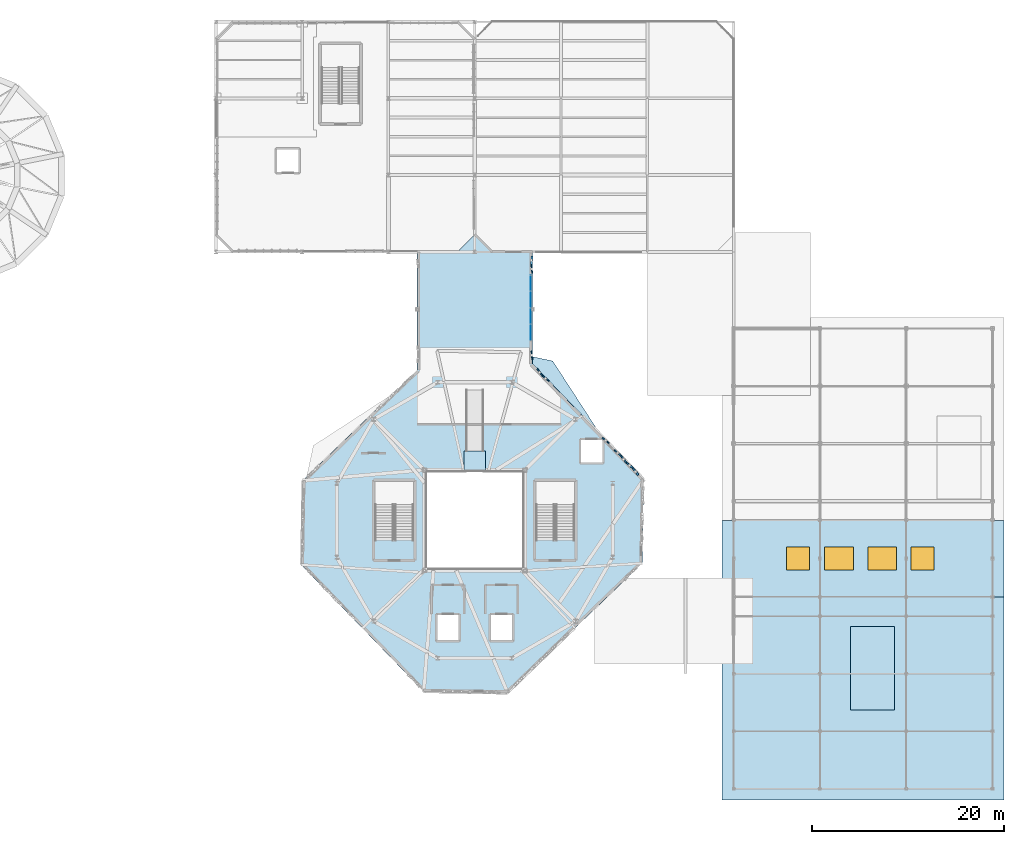
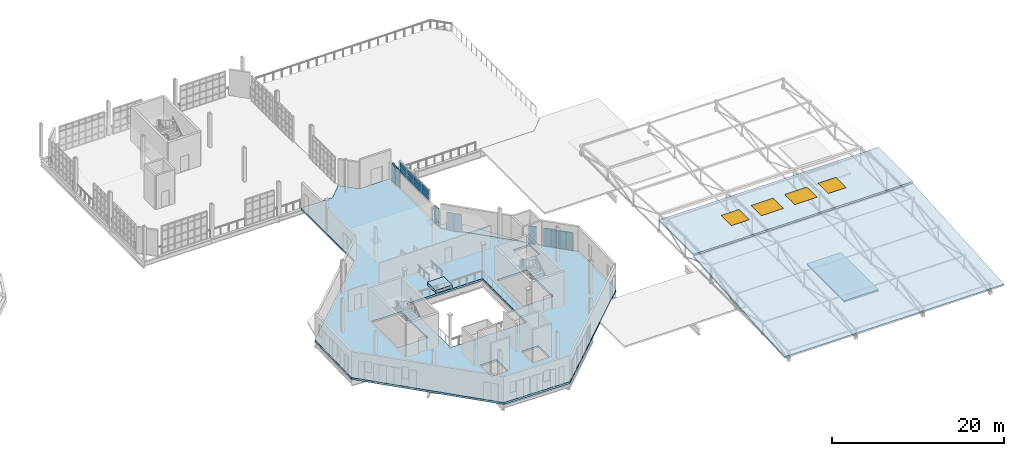
# One storey, part 69 of 85: 18 plates, 6 slabs, 4 windows, 4 openings, 1 element without a shape of its own.
"""IFC4 building model written with IfcOpenShell, lengths in metres."""

from ifc_helpers import new_model, si_unit, direction, frame, frame_2d, origin, origin_2d, place, context, subcontext, project, spatial, polyline, rectangle, outline, extrude, material, layer, layer_set, type_object, element, fill, aggregate, save


model = new_model("IFC4")

# Units and contexts
model_context = context("Model", 3, precision=1e-05, world=origin(), true_north=direction((0.0, 1.0)))
body_context = subcontext(model_context, "Body", "Model", "MODEL_VIEW")
ifc_project = project(units=[si_unit("LENGTHUNIT", "METRE"), si_unit("AREAUNIT", "SQUARE_METRE"), si_unit("VOLUMEUNIT", "CUBIC_METRE"), si_unit("PLANEANGLEUNIT", "RADIAN"), si_unit("MASSUNIT", "GRAM", prefix="KILO"), si_unit("THERMODYNAMICTEMPERATUREUNIT", "KELVIN"), si_unit("POWERUNIT", "WATT")], contexts=[model_context])

# Site, building, storey
site_placement = place(None, origin())
site = spatial("IfcSite", under=ifc_project, at=site_placement, CompositionType="ELEMENT")
building_placement = place(site_placement, origin())
building = spatial("IfcBuilding", under=site, at=building_placement, Name="Zelmaris Science Centre", CompositionType="ELEMENT")
storey_placement = place(building_placement, frame((0.0, 0.0, 20.39990234375)))
storey = spatial("IfcBuildingStorey", under=building, at=storey_placement, Name="L04", CompositionType="ELEMENT", Elevation=20.39990234375)

# Curtain wall, plates
ifc_material_1 = material(Name="Anodised architectural aluminium 6063-T6", Category="aluminium")
ifc_layer_1 = layer(ifc_material_1, 0.18994140625, Name="Anodised architectural aluminium 6063-T6")
ifc_layer_set_1 = layer_set([ifc_layer_1], Name="Anodised architectural aluminium 6063-T6")
curtain_wall_type = type_object("IfcCurtainWallType", Name="Curtain Wall CW-01", PredefinedType="USERDEFINED", material=ifc_layer_set_1)
curtain_wall_placement = place(storey_placement, origin())
curtain_wall = element("IfcCurtainWall", 1, at=curtain_wall_placement, inside=storey, type_object=curtain_wall_type, Name="L04 Clerestory curtain wall 349", ObjectType="GLAZED CURTAIN WALL", PredefinedType="USERDEFINED")
ifc_material_2 = material(Name="Laminated hurricane-rated low-E insulated glazing", Category="glass")
ifc_layer_2 = layer(ifc_material_2, 0.031982421875, Name="Laminated hurricane-rated low-E insulated glazing")
ifc_layer_set_2 = layer_set([ifc_layer_2], Name="Laminated hurricane-rated low-E insulated glazing")
plate_type_1 = type_object("IfcPlateType", Name="Curtain Glazing Panel CWP-1 32mm", PredefinedType="CURTAIN_PANEL", material=ifc_layer_set_2)
plate_1_placement = place(storey_placement, frame((86.841796875, 60.724853515625, 2.4921875), z_axis=(0.0, 0.0, 1.0), x_axis=(0.000585964034, -0.999999828323, 0.0)))
plate_1 = element("IfcPlate", 2, at=plate_1_placement, type_object=plate_type_1, Name="CW-01 panel 1.1", PredefinedType="CURTAIN_PANEL", context=body_context, shape_type="SweptSolid", body=[
    extrude(rectangle(XDim=1.61376953125, YDim=0.031982421875, at=origin_2d()), origin(), (0.0, 0.0, 1.0), 0.697021484375),
])
plate_2_placement = place(storey_placement, frame((86.841796875, 60.724853515625, 3.26123046875), z_axis=(0.0, 0.0, 1.0), x_axis=(0.000585964034, -0.999999828323, 0.0)))
plate_2 = element("IfcPlate", 3, at=plate_2_placement, type_object=plate_type_1, Name="CW-01 panel 1.2", PredefinedType="CURTAIN_PANEL", context=body_context, shape_type="SweptSolid", body=[
    extrude(rectangle(XDim=1.61376953125, YDim=0.031982421875, at=origin_2d()), origin(), (0.0, 0.0, 1.0), 0.697021484375),
])
plate_3_placement = place(storey_placement, frame((86.8427734375, 59.02099609375, 2.4921875), z_axis=(0.0, 0.0, 1.0), x_axis=(0.000585964034, -0.999999828323, 0.0)))
plate_3 = element("IfcPlate", 4, at=plate_3_placement, type_object=plate_type_1, Name="CW-01 panel 2.1", PredefinedType="CURTAIN_PANEL", context=body_context, shape_type="SweptSolid", body=[
    extrude(rectangle(XDim=1.64990234375, YDim=0.031982421875, at=origin_2d()), origin(), (0.0, 0.0, 1.0), 0.697021484375),
])
plate_4_placement = place(storey_placement, frame((86.8427734375, 59.02099609375, 3.26123046875), z_axis=(0.0, 0.0, 1.0), x_axis=(0.000585964034, -0.999999828323, 0.0)))
plate_4 = element("IfcPlate", 5, at=plate_4_placement, type_object=plate_type_1, Name="CW-01 panel 2.2", PredefinedType="CURTAIN_PANEL", context=body_context, shape_type="SweptSolid", body=[
    extrude(rectangle(XDim=1.64990234375, YDim=0.031982421875, at=origin_2d()), origin(), (0.0, 0.0, 1.0), 0.697021484375),
])
plate_5_placement = place(storey_placement, frame((86.84375, 57.29931640625, 2.4921875), z_axis=(0.0, 0.0, 1.0), x_axis=(0.000585964034, -0.999999828323, 0.0)))
plate_5 = element("IfcPlate", 6, at=plate_5_placement, type_object=plate_type_1, Name="CW-01 panel 3.1", PredefinedType="CURTAIN_PANEL", context=body_context, shape_type="SweptSolid", body=[
    extrude(rectangle(XDim=1.64990234375, YDim=0.031982421875, at=origin_2d()), origin(), (0.0, 0.0, 1.0), 0.697021484375),
])
plate_6_placement = place(storey_placement, frame((86.84375, 57.29931640625, 3.26123046875), z_axis=(0.0, 0.0, 1.0), x_axis=(0.000585964034, -0.999999828323, 0.0)))
plate_6 = element("IfcPlate", 7, at=plate_6_placement, type_object=plate_type_1, Name="CW-01 panel 3.2", PredefinedType="CURTAIN_PANEL", context=body_context, shape_type="SweptSolid", body=[
    extrude(rectangle(XDim=1.64990234375, YDim=0.031982421875, at=origin_2d()), origin(), (0.0, 0.0, 1.0), 0.697021484375),
])
plate_7_placement = place(storey_placement, frame((86.8447265625, 55.595458984375, 2.4921875), z_axis=(0.0, 0.0, 1.0), x_axis=(0.000585964034, -0.999999828323, 0.0)))
plate_7 = element("IfcPlate", 8, at=plate_7_placement, type_object=plate_type_1, Name="CW-01 panel 4.1", PredefinedType="CURTAIN_PANEL", context=body_context, shape_type="SweptSolid", body=[
    extrude(rectangle(XDim=1.61376953125, YDim=0.031982421875, at=origin_2d()), origin(), (0.0, 0.0, 1.0), 0.697021484375),
])
plate_8_placement = place(storey_placement, frame((86.8447265625, 55.595458984375, 3.26123046875), z_axis=(0.0, 0.0, 1.0), x_axis=(0.000585964034, -0.999999828323, 0.0)))
plate_8 = element("IfcPlate", 9, at=plate_8_placement, type_object=plate_type_1, Name="CW-01 panel 4.2", PredefinedType="CURTAIN_PANEL", context=body_context, shape_type="SweptSolid", body=[
    extrude(rectangle(XDim=1.61376953125, YDim=0.031982421875, at=origin_2d()), origin(), (0.0, 0.0, 1.0), 0.697021484375),
])
aggregate(curtain_wall, [plate_1, plate_2, plate_3, plate_4, plate_5, plate_6, plate_7, plate_8])

# Plates
ifc_material_3 = material(Name="Precast concrete C40/50", Category="concrete")
ifc_layer_3 = layer(ifc_material_3, 0.110107421875, Name="Precast concrete C40/50")
ifc_layer_set_3 = layer_set([ifc_layer_3], Name="Precast concrete C40/50")
plate_type_2 = type_object("IfcPlateType", Name="Precast Facet Panel FP-01 110mm", PredefinedType="SHEET", material=ifc_layer_set_3)
plate_9_placement = place(storey_placement, frame((86.900634765625, 62.66015625, 0.02001953125), z_axis=(0.0, 0.0, 1.0), x_axis=(0.102015169491, -0.994782843235, 0.0)))
element("IfcPlate", 10, at=plate_9_placement, inside=storey, type_object=plate_type_2, Name="L04 Folded precast facet panel 168", PredefinedType="SHEET", context=body_context, shape_type="SweptSolid", body=[
    extrude(rectangle(XDim=0.904541015625, YDim=0.110107421875, at=frame_2d((0.4521484375, 0.0))), origin(), (0.0, 0.0, 1.0), 2.4599609375),
])
ifc_layer_4 = layer(ifc_material_3, 0.1201171875, Name="Precast concrete C40/50")
ifc_layer_set_4 = layer_set([ifc_layer_4], Name="Precast concrete C40/50")
plate_type_3 = type_object("IfcPlateType", Name="Precast Facet Panel FP-02 120mm", PredefinedType="SHEET", material=ifc_layer_set_4)
plate_10_placement = place(storey_placement, frame((86.906005859375, 53.66015625, 0.02001953125), z_axis=(0.0, 0.0, 1.0), x_axis=(0.101748085751, -0.994810196493, 0.0)))
element("IfcPlate", 11, at=plate_10_placement, inside=storey, type_object=plate_type_3, Name="L04 Folded precast facet panel 169", PredefinedType="SHEET", context=body_context, shape_type="SweptSolid", body=[
    extrude(rectangle(XDim=0.904541015625, YDim=0.1201171875, at=frame_2d((0.4521484375, 0.0))), origin(), (0.0, 0.0, 1.0), 2.4599609375),
])
ifc_layer_5 = layer(ifc_material_3, 0.1298828125, Name="Precast concrete C40/50")
ifc_layer_set_5 = layer_set([ifc_layer_5], Name="Precast concrete C40/50")
plate_type_4 = type_object("IfcPlateType", Name="Precast Facet Panel FP-03 130mm", PredefinedType="SHEET", material=ifc_layer_set_5)
plate_11_placement = place(storey_placement, frame((87.494873046875, 51.799072265625, 0.02001953125), z_axis=(0.0, 0.0, 1.0), x_axis=(0.618024153916, -0.786159109326, 0.0)))
element("IfcPlate", 12, at=plate_11_placement, inside=storey, type_object=plate_type_4, Name="L04 Folded precast facet panel 170", PredefinedType="SHEET", context=body_context, shape_type="SweptSolid", body=[
    extrude(rectangle(XDim=0.904541015625, YDim=0.1298828125, at=frame_2d((0.4521484375, 0.0))), origin(), (0.0, 0.0, 1.0), 2.4599609375),
])
ifc_layer_6 = layer(ifc_material_3, 0.139892578125, Name="Precast concrete C40/50")
ifc_layer_set_6 = layer_set([ifc_layer_6], Name="Precast concrete C40/50")
plate_type_5 = type_object("IfcPlateType", Name="Precast Facet Panel FP-04 140mm", PredefinedType="SHEET", material=ifc_layer_set_6)
plate_12_placement = place(storey_placement, frame((88.053955078125, 51.087890625, 0.02001953125), z_axis=(0.0, 0.0, 1.0), x_axis=(0.763846637855, -0.645397795037, 0.0)))
element("IfcPlate", 13, at=plate_12_placement, inside=storey, type_object=plate_type_5, Name="L04 Folded precast facet panel 171", PredefinedType="SHEET", context=body_context, shape_type="SweptSolid", body=[
    extrude(rectangle(XDim=0.90478515625, YDim=0.139892578125, at=frame_2d((0.452392578125, 0.0))), origin(), (0.0, 0.0, 1.0), 2.4599609375),
])
ifc_layer_7 = layer(ifc_material_3, 0.14990234375, Name="Precast concrete C40/50")
ifc_layer_set_7 = layer_set([ifc_layer_7], Name="Precast concrete C40/50")
plate_type_6 = type_object("IfcPlateType", Name="Precast Facet Panel FP-05 150mm", PredefinedType="SHEET", material=ifc_layer_set_7)
plate_13_placement = place(storey_placement, frame((94.304931640625, 44.61279296875, 0.02001953125), z_axis=(0.0, 0.0, 1.0), x_axis=(0.763979659586, -0.645240327118, 0.0)))
element("IfcPlate", 14, at=plate_13_placement, inside=storey, type_object=plate_type_6, Name="L04 Folded precast facet panel 172", PredefinedType="SHEET", context=body_context, shape_type="SweptSolid", body=[
    extrude(rectangle(XDim=0.90478515625, YDim=0.14990234375, at=frame_2d((0.452392578125, 0.0))), origin(), (0.0, 0.0, 1.0), 2.4599609375),
])
ifc_layer_8 = layer(ifc_material_3, 0.159912109375, Name="Precast concrete C40/50")
ifc_layer_set_8 = layer_set([ifc_layer_8], Name="Precast concrete C40/50")
plate_type_7 = type_object("IfcPlateType", Name="Precast Facet Panel FP-06 160mm", PredefinedType="SHEET", material=ifc_layer_set_8)
plate_14_placement = place(storey_placement, frame((95.55517578125, 43.31787109375, 0.02001953125), z_axis=(0.0, 0.0, 1.0), x_axis=(0.763734214762, -0.64553082746, 0.0)))
element("IfcPlate", 15, at=plate_14_placement, inside=storey, type_object=plate_type_7, Name="L04 Folded precast facet panel 173", PredefinedType="SHEET", context=body_context, shape_type="SweptSolid", body=[
    extrude(rectangle(XDim=0.904541015625, YDim=0.159912109375, at=frame_2d((0.4521484375, 0.0))), origin(), (0.0, 0.0, 1.0), 2.4599609375),
])
ifc_layer_9 = layer(ifc_material_3, 0.169921875, Name="Precast concrete C40/50")
ifc_layer_set_9 = layer_set([ifc_layer_9], Name="Precast concrete C40/50")
plate_type_8 = type_object("IfcPlateType", Name="Precast Facet Panel FP-07 170mm", PredefinedType="SHEET", material=ifc_layer_set_9)
plate_15_placement = place(storey_placement, frame((96.24609375, 42.73388671875, 0.02001953125), z_axis=(0.0, 0.0, 1.0), x_axis=(0.618322046154, -0.785924835617, 0.0)))
element("IfcPlate", 16, at=plate_15_placement, inside=storey, type_object=plate_type_8, Name="L04 Folded precast facet panel 174", PredefinedType="SHEET", context=body_context, shape_type="SweptSolid", body=[
    extrude(rectangle(XDim=0.904541015625, YDim=0.169921875, at=frame_2d((0.4521484375, 0.0))), origin(), (0.0, 0.0, 1.0), 2.4599609375),
])
ifc_layer_10 = layer(ifc_material_3, 0.179931640625, Name="Precast concrete C40/50")
ifc_layer_set_10 = layer_set([ifc_layer_10], Name="Precast concrete C40/50")
plate_type_9 = type_object("IfcPlateType", Name="Precast Facet Panel FP-08 180mm", PredefinedType="SHEET", material=ifc_layer_set_10)
plate_16_placement = place(storey_placement, frame((96.805419921875, 42.02294921875, 0.02001953125), z_axis=(0.0, 0.0, 1.0), x_axis=(0.763734214762, -0.64553082746, 0.0)))
element("IfcPlate", 17, at=plate_16_placement, inside=storey, type_object=plate_type_9, Name="L04 Folded precast facet panel 175", PredefinedType="SHEET", context=body_context, shape_type="SweptSolid", body=[
    extrude(rectangle(XDim=0.904541015625, YDim=0.179931640625, at=frame_2d((0.4521484375, 0.0))), origin(), (0.0, 0.0, 1.0), 2.4599609375),
])
ifc_layer_11 = layer(ifc_material_3, 0.18994140625, Name="Precast concrete C40/50")
ifc_layer_set_11 = layer_set([ifc_layer_11], Name="Precast concrete C40/50")
plate_type_10 = type_object("IfcPlateType", Name="Precast Facet Panel FP-09 190mm", PredefinedType="SHEET", material=ifc_layer_set_11)
plate_17_placement = place(storey_placement, frame((97.496337890625, 41.43896484375, 0.02001953125), z_axis=(0.0, 0.0, 1.0), x_axis=(0.618024153916, -0.786159109326, 0.0)))
element("IfcPlate", 18, at=plate_17_placement, inside=storey, type_object=plate_type_10, Name="L04 Folded precast facet panel 176", PredefinedType="SHEET", context=body_context, shape_type="SweptSolid", body=[
    extrude(rectangle(XDim=0.904541015625, YDim=0.18994140625, at=frame_2d((0.4521484375, 0.0))), origin(), (0.0, 0.0, 1.0), 2.4599609375),
])
ifc_layer_12 = layer(ifc_material_3, 0.219970703125, Name="Precast concrete C40/50")
ifc_layer_set_12 = layer_set([ifc_layer_12], Name="Precast concrete C40/50")
plate_type_11 = type_object("IfcPlateType", Name="Precast Facet Panel FP-12 220mm", PredefinedType="SHEET", material=ifc_layer_set_12)
plate_18_placement = place(storey_placement, frame((86.99169921875, 63.560302734375, 0.02001953125), z_axis=(0.0, 0.0, 1.0), x_axis=(-0.10065250136, -0.994921642126, 0.0)))
element("IfcPlate", 19, at=plate_18_placement, inside=storey, type_object=plate_type_11, Name="L04 Folded precast facet panel 167", PredefinedType="SHEET", context=body_context, shape_type="SweptSolid", body=[
    extrude(rectangle(XDim=0.90478515625, YDim=0.219970703125, at=frame_2d((0.452392578125, 0.0))), origin(), (0.0, 0.0, 1.0), 2.4599609375),
])

# Slabs
ifc_material_4 = material(Name="Concrete C35/45", Category="concrete")
ifc_layer_13 = layer(ifc_material_4, 0.280029296875, Name="Concrete C35/45")
ifc_layer_set_13 = layer_set([ifc_layer_13], Name="Concrete C35/45")
slab_type_1 = type_object("IfcSlabType", Name="Slab SL-FL280 280mm", PredefinedType="FLOOR", material=ifc_layer_set_13)
slab_1_placement = place(storey_placement, frame((0.0, 0.0, -0.27978515625)))
element("IfcSlab", 20, at=slab_1_placement, inside=storey, type_object=slab_type_1, Name="L04 Rotated exhibition hall slab", PredefinedType="FLOOR", context=body_context, shape_type="SweptSolid", body=[
    extrude(outline(polyline([(98.468505859375, 31.518798828125), (84.44140625, 17.972900390625), (75.674560546875, 18.1259765625), (62.892822265625, 31.36181640625), (63.0458984375, 40.128662109375), (75.0, 51.67236328125), (75.0, 64.00390625), (79.1982421875, 64.00390625), (80.99609375, 65.8017578125), (80.99609375, 66.0), (81.010986328125, 66.0), (81.010986328125, 65.794677734375), (82.8017578125, 64.00390625), (87.0, 64.00390625), (87.0, 52.320068359375), (98.62158203125, 40.28564453125), (98.468505859375, 31.518798828125)]), holes=[polyline([(75.89990234375, 30.89990234375), (86.10009765625, 30.89990234375), (86.10009765625, 41.10009765625), (75.89990234375, 41.10009765625), (75.89990234375, 30.89990234375)]), polyline([(74.60009765625, 33.919921875), (74.60009765625, 40.050048828125), (70.60009765625, 40.050048828125), (70.60009765625, 33.919921875), (74.60009765625, 33.919921875)]), polyline([(91.39990234375, 33.919921875), (91.39990234375, 40.050048828125), (87.39990234375, 40.050048828125), (87.39990234375, 33.919921875), (91.39990234375, 33.919921875)]), polyline([(77.10009765625, 23.5), (79.300048828125, 23.5), (79.300048828125, 26.10009765625), (77.10009765625, 26.10009765625), (77.10009765625, 23.5)]), polyline([(82.699951171875, 23.5), (84.89990234375, 23.5), (84.89990234375, 26.10009765625), (82.699951171875, 26.10009765625), (82.699951171875, 23.5)]), polyline([(92.10009765625, 42.050048828125), (94.300048828125, 42.050048828125), (94.300048828125, 44.35009765625), (92.10009765625, 44.35009765625), (92.10009765625, 42.050048828125)])]), origin(), (0.0, 0.0, 1.0), 0.27978515625),
])
ifc_layer_14 = layer(ifc_material_4, 0.419921875, Name="Concrete C35/45")
ifc_layer_set_14 = layer_set([ifc_layer_14], Name="Concrete C35/45")
slab_type_2 = type_object("IfcSlabType", Name="Slab SL-LD420 420mm", PredefinedType="LANDING", material=ifc_layer_set_14)
slab_2_placement = place(storey_placement, origin())
element("IfcSlab", 21, at=slab_2_placement, inside=storey, type_object=slab_type_2, Name="L04 Atrium overlook ramp arrival landing", PredefinedType="LANDING", context=body_context, shape_type="SweptSolid", body=[
    extrude(outline(polyline([(79.89990234375, 41.199951171875), (82.10009765625, 41.199951171875), (82.10009765625, 43.199951171875), (79.89990234375, 43.199951171875), (79.89990234375, 41.199951171875)])), origin(), (0.0, 0.0, 1.0), 0.420166015625),
])
ifc_layer_15 = layer(ifc_material_4, 0.219970703125, Name="Concrete C35/45")
ifc_layer_set_15 = layer_set([ifc_layer_15], Name="Concrete C35/45")
slab_type_3 = type_object("IfcSlabType", Name="Slab SL-RF220 220mm", PredefinedType="ROOF", material=ifc_layer_set_15)
slab_3_placement = place(storey_placement, frame((0.0, 0.0, -0.219970703125)))
element("IfcSlab", 22, at=slab_3_placement, inside=storey, type_object=slab_type_3, Name="L04 Exhibition setback cornice roof 2", PredefinedType="ROOF", context=body_context, shape_type="SweptSolid", body=[
    extrude(outline(polyline([(94.03076171875, 45.068359375), (87.02001953125, 52.328125), (87.02001953125, 53.0625), (89.130859375, 52.61376953125), (94.03076171875, 45.068359375)])), origin(), (0.0, 0.0, 1.0), 0.219970703125),
])

# Slab, openings, windows
ifc_layer_16 = layer(ifc_material_4, 0.239990234375, Name="Concrete C35/45")
ifc_layer_set_16 = layer_set([ifc_layer_16], Name="Concrete C35/45")
slab_type_4 = type_object("IfcSlabType", Name="Slab SL-RF240 240mm", PredefinedType="ROOF", material=ifc_layer_set_16)
slab_4_placement = place(storey_placement, frame((0.0, 0.0, 3.91015625)))
slab_4 = element("IfcSlab", 23, at=slab_4_placement, inside=storey, type_object=slab_type_4, Name="RF-V4 Skylight lantern roof deck", PredefinedType="ROOF", context=body_context, shape_type="SweptSolid", body=[
    extrude(outline(polyline([(106.800048828125, 28.0), (136.199951171875, 28.0), (136.199951171875, 36.0), (106.800048828125, 36.0), (106.800048828125, 28.0)])), origin(), (0.0, 0.0, 1.0), 0.239990234375),
])
opening_1_placement = place(slab_4_placement, frame((114.699951171875, 32.0, 0.0)))
opening_1 = element("IfcOpeningElement", 24, at=opening_1_placement, cuts=slab_4, Name="Opening SK-01", PredefinedType="OPENING", context=body_context, shape_type="SweptSolid", body=[
    extrude(rectangle(XDim=2.39990234375, YDim=2.39990234375, at=origin_2d()), frame((0.0, 0.0, -0.010009765625)), (0.0, 0.0, 1.0), 0.260009765625),
])
opening_2_placement = place(slab_4_placement, frame((119.0, 32.0, 0.0)))
opening_2 = element("IfcOpeningElement", 25, at=opening_2_placement, cuts=slab_4, Name="Opening SK-02", PredefinedType="OPENING", context=body_context, shape_type="SweptSolid", body=[
    extrude(rectangle(XDim=3.0, YDim=2.39990234375, at=origin_2d()), frame((0.0, 0.0, -0.010009765625)), (0.0, 0.0, 1.0), 0.260009765625),
])
opening_3_placement = place(slab_4_placement, frame((123.5, 32.0, 0.0)))
opening_3 = element("IfcOpeningElement", 26, at=opening_3_placement, cuts=slab_4, Name="Opening SK-02", PredefinedType="OPENING", context=body_context, shape_type="SweptSolid", body=[
    extrude(rectangle(XDim=3.0, YDim=2.39990234375, at=origin_2d()), frame((0.0, 0.0, -0.010009765625)), (0.0, 0.0, 1.0), 0.260009765625),
])
opening_4_placement = place(slab_4_placement, frame((127.699951171875, 32.0, 0.0)))
opening_4 = element("IfcOpeningElement", 27, at=opening_4_placement, cuts=slab_4, Name="Opening SK-01", PredefinedType="OPENING", context=body_context, shape_type="SweptSolid", body=[
    extrude(rectangle(XDim=2.39990234375, YDim=2.39990234375, at=origin_2d()), frame((0.0, 0.0, -0.010009765625)), (0.0, 0.0, 1.0), 0.260009765625),
])
window_type_1 = type_object("IfcWindowType", Name="Roof Skylight SK-01 2400x2400", PartitioningType="SINGLE_PANEL", PredefinedType="SKYLIGHT", material=ifc_material_2)
window_1_placement = place(opening_1_placement, frame((0.0, 0.0, 0.18994140625)))
window_1 = element("IfcWindow", 28, at=window_1_placement, inside=storey, type_object=window_type_1, Name="Laboratory monitor skylight 1", OverallHeight=2.39990234375, OverallWidth=2.39990234375, PartitioningType="SINGLE_PANEL", PredefinedType="SKYLIGHT", context=body_context, shape_type="SweptSolid", body=[
    extrude(rectangle(XDim=2.39990234375, YDim=2.39990234375, at=origin_2d()), origin(), (0.0, 0.0, 1.0), 0.050048828125),
])
fill(opening_1, window_1)
window_2_placement = place(opening_4_placement, frame((0.0, 0.0, 0.18994140625)))
window_2 = element("IfcWindow", 29, at=window_2_placement, inside=storey, type_object=window_type_1, Name="Laboratory monitor skylight 4", OverallHeight=2.39990234375, OverallWidth=2.39990234375, PartitioningType="SINGLE_PANEL", PredefinedType="SKYLIGHT", context=body_context, shape_type="SweptSolid", body=[
    extrude(rectangle(XDim=2.39990234375, YDim=2.39990234375, at=origin_2d()), origin(), (0.0, 0.0, 1.0), 0.050048828125),
])
fill(opening_4, window_2)
window_type_2 = type_object("IfcWindowType", Name="Roof Skylight SK-02 3000x2400", PartitioningType="SINGLE_PANEL", PredefinedType="SKYLIGHT", material=ifc_material_2)
window_3_placement = place(opening_2_placement, frame((0.0, 0.0, 0.18994140625)))
window_3 = element("IfcWindow", 30, at=window_3_placement, inside=storey, type_object=window_type_2, Name="Laboratory monitor skylight 2", OverallHeight=2.39990234375, OverallWidth=3.0, PartitioningType="SINGLE_PANEL", PredefinedType="SKYLIGHT", context=body_context, shape_type="SweptSolid", body=[
    extrude(rectangle(XDim=3.0, YDim=2.39990234375, at=origin_2d()), origin(), (0.0, 0.0, 1.0), 0.050048828125),
])
fill(opening_2, window_3)
window_4_placement = place(opening_3_placement, frame((0.0, 0.0, 0.18994140625)))
window_4 = element("IfcWindow", 31, at=window_4_placement, inside=storey, type_object=window_type_2, Name="Laboratory monitor skylight 3", OverallHeight=2.39990234375, OverallWidth=3.0, PartitioningType="SINGLE_PANEL", PredefinedType="SKYLIGHT", context=body_context, shape_type="SweptSolid", body=[
    extrude(rectangle(XDim=3.0, YDim=2.39990234375, at=origin_2d()), origin(), (0.0, 0.0, 1.0), 0.050048828125),
])
fill(opening_3, window_4)

# Slabs
slab_5_placement = place(storey_placement, frame((106.800048828125, 6.85009765625, 2.4208984375), z_axis=(0.0, -0.06859024724, 0.997644915781), x_axis=(1.0, 0.0, 0.0)))
element("IfcSlab", 32, at=slab_5_placement, inside=storey, type_object=slab_type_4, Name="RF-V4 Hurricane pitched roof slab S", PredefinedType="ROOF", context=body_context, shape_type="SweptSolid", body=[
    extrude(outline(polyline([(0.0, 0.0), (29.39990234375, 0.0), (29.39990234375, 21.199829728189485), (0.0, 21.199829728189485), (0.0, 0.0)])), origin(), (0.0, 0.0, -1.0), 0.239990234375),
])
slab_6_placement = place(storey_placement, frame((0.0, 0.0, -0.239990234375)))
element("IfcSlab", 33, at=slab_6_placement, inside=storey, type_object=slab_type_4, Name="ST-4 Stair shaft headhouse roof slab", PredefinedType="ROOF", context=body_context, shape_type="SweptSolid", body=[
    extrude(outline(polyline([(124.800048828125, 16.199951171875), (124.800048828125, 24.89990234375), (120.199951171875, 24.89990234375), (120.199951171875, 16.199951171875), (124.800048828125, 16.199951171875)])), origin(), (0.0, 0.0, 1.0), 0.239990234375),
])

save(model, "model.ifc")
